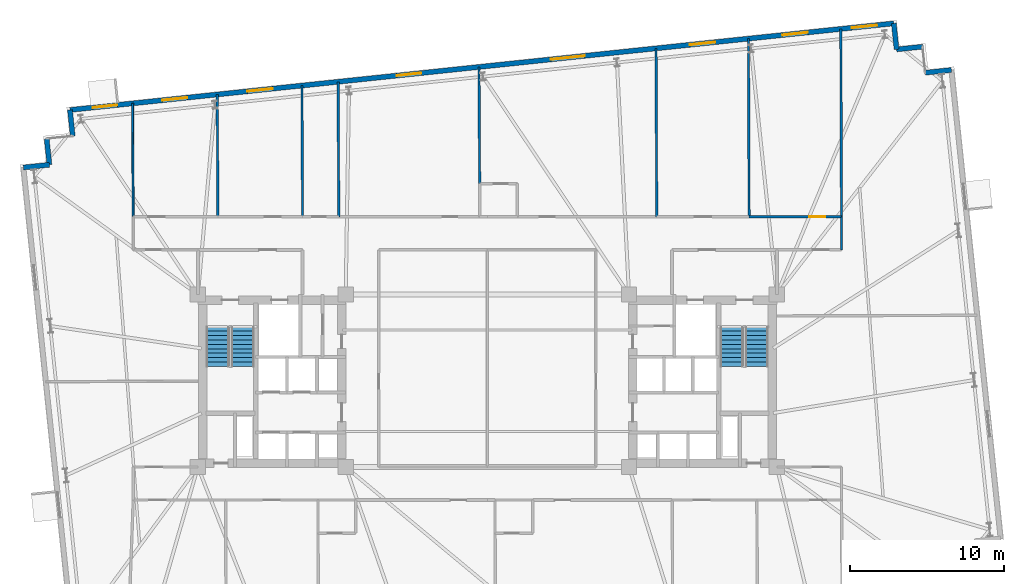
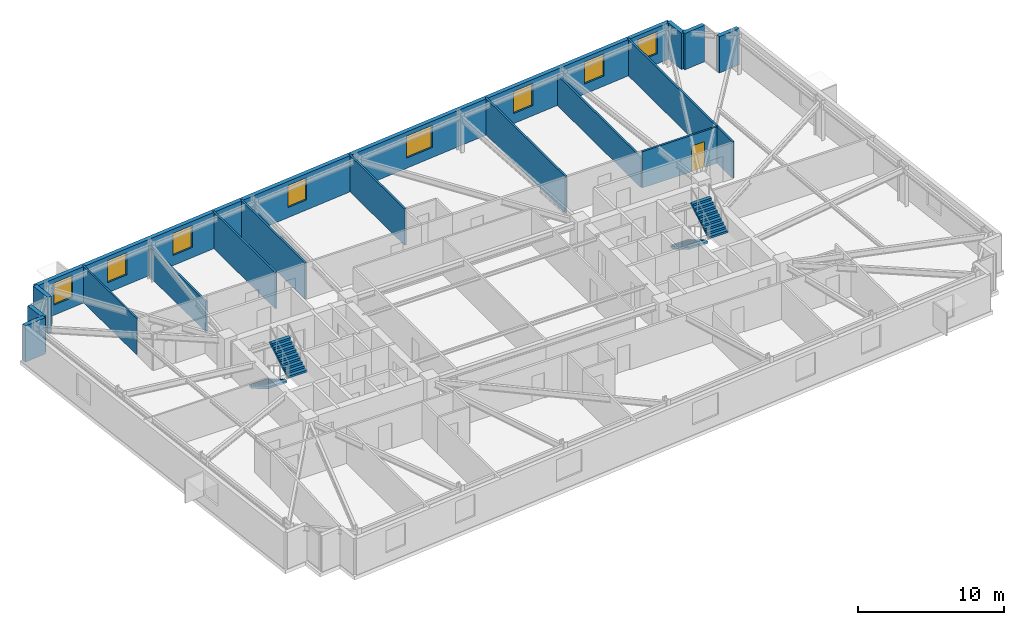
# One storey, part 15 of 17: 17 walls, 8 windows, 4 stair flights, 1 door, 9 openings, 2 elements without a shape of their own.
"""IFC4 building model written with IfcOpenShell, lengths in metres."""

from ifc_helpers import new_model, si_unit, direction, frame, frame_2d, origin, place, context, subcontext, project, spatial, polyline, rectangle, outline, extrude, material, layer, layer_set, type_object, element, fill, aggregate, save


model = new_model("IFC4")

# Units and contexts
model_context = context("Model", 3, precision=1e-05, world=origin(), true_north=direction((0.0, 1.0)))
body_context = subcontext(model_context, "Body", "Model", "MODEL_VIEW")
ifc_project = project(units=[si_unit("LENGTHUNIT", "METRE"), si_unit("AREAUNIT", "SQUARE_METRE"), si_unit("VOLUMEUNIT", "CUBIC_METRE"), si_unit("PLANEANGLEUNIT", "RADIAN"), si_unit("MASSUNIT", "GRAM", prefix="KILO")], contexts=[model_context])

# Site, building, storey
site_placement = place(None, origin())
site = spatial("IfcSite", under=ifc_project, at=site_placement, CompositionType="ELEMENT")
building_placement = place(site_placement, origin())
building = spatial("IfcBuilding", under=site, at=building_placement, Name="Qobustan Lattice House", CompositionType="ELEMENT")
storey_placement = place(building_placement, frame((0.0, 0.0, 112.5)))
storey = spatial("IfcBuildingStorey", under=building, at=storey_placement, Name="L31", CompositionType="ELEMENT", Elevation=112.5)

# Walls
ifc_material_1 = material(Name="Precast concrete C40/50", Category="concrete")
ifc_layer_1 = layer(ifc_material_1, 0.320068359375)
ifc_layer_set_1 = layer_set([ifc_layer_1], Name="Precast concrete C40/50")
wall_type_1 = type_object("IfcWallType", Name="WAL-EXT-STONE-320", PredefinedType="SOLIDWALL", material=ifc_layer_set_1)
for number, where, z_axis, x_axis, name in (
    (1, (-30.13330078125, 13.84912109375, 0.0), (0.0, 0.0, 1.0), (0.994534530939, 0.104408173862, 0.0), "L31 exterior limestone-clad wall 6"),
    (2, (-28.442626953125, 14.026611328125, 0.0), (0.0, 0.0, 1.0), (-0.104550220202, 0.994519608382, 0.0), "L31 exterior limestone-clad wall 7"),
    (3, (-26.9296875, 15.89501953125, 0.0), (0.0, 0.0, 1.0), (-0.104550220202, 0.994519608382, 0.0), "L31 exterior limestone-clad wall 9"),
):
    element("IfcWall", number, at=place(storey_placement, frame(where, z_axis=z_axis, x_axis=x_axis)), inside=storey, type_object=wall_type_1, Name=name, PredefinedType="SOLIDWALL", context=body_context, shape_type="SweptSolid", body=[
        extrude(rectangle(XDim=1.699951171875, YDim=0.320068359375, at=frame_2d((0.85009765625, 0.0))), origin(), (0.0, 0.0, 1.0), 3.044921875),
    ])

# Wall, openings, windows
wall_1_placement = place(storey_placement, frame((-27.107421875, 17.585693359375, 0.0), z_axis=(0.0, 0.0, 1.0), x_axis=(0.994521628355, 0.104531003701, 0.0)))
wall_1 = element("IfcWall", 4, at=wall_1_placement, inside=storey, type_object=wall_type_1, Name="L31 exterior limestone-clad wall 10", PredefinedType="SOLIDWALL", context=body_context, shape_type="SweptSolid", body=[
    extrude(rectangle(XDim=53.800048828125, YDim=0.320068359375, at=frame_2d((26.89990234375, 0.0))), origin(), (0.0, 0.0, 1.0), 3.044921875),
])
opening_1_placement = place(wall_1_placement, frame((1.481689453125, 0.0, 0.85009765625)))
opening_1 = element("IfcOpeningElement", 5, at=opening_1_placement, cuts=wall_1, Name="Opening WN-13", PredefinedType="OPENING", context=body_context, shape_type="SweptSolid", body=[
    extrude(rectangle(XDim=1.60009765625, YDim=1.85009765625, at=frame_2d((0.800048828125, 0.925048828125))), frame((0.0, 0.169921875, 0.0), z_axis=(0.0, -1.0, 0.0), x_axis=(1.0, 0.0, 0.0)), (0.0, 0.0, 1.0), 0.340087890625),
])
opening_2_placement = place(wall_1_placement, frame((6.02001953125, 0.0, 0.85009765625)))
opening_2 = element("IfcOpeningElement", 6, at=opening_2_placement, cuts=wall_1, Name="Opening WN-09", PredefinedType="OPENING", context=body_context, shape_type="SweptSolid", body=[
    extrude(rectangle(XDim=1.64990234375, YDim=1.85009765625, at=frame_2d((0.824951171875, 0.925048828125))), frame((0.0, 0.169921875, 0.0), z_axis=(0.0, -1.0, 0.0), x_axis=(1.0, 0.0, 0.0)), (0.0, 0.0, 1.0), 0.340087890625),
])
opening_3_placement = place(wall_1_placement, frame((11.584228515625, 0.0, 0.85009765625)))
opening_3 = element("IfcOpeningElement", 7, at=opening_3_placement, cuts=wall_1, Name="Opening WN-09", PredefinedType="OPENING", context=body_context, shape_type="SweptSolid", body=[
    extrude(rectangle(XDim=1.64990234375, YDim=1.85009765625, at=frame_2d((0.824951171875, 0.925048828125))), frame((0.0, 0.169921875, 0.0), z_axis=(0.0, -1.0, 0.0), x_axis=(1.0, 0.0, 0.0)), (0.0, 0.0, 1.0), 0.340087890625),
])
opening_4_placement = place(wall_1_placement, frame((21.33642578125, 0.0, 0.85009765625)))
opening_4 = element("IfcOpeningElement", 8, at=opening_4_placement, cuts=wall_1, Name="Opening WN-13", PredefinedType="OPENING", context=body_context, shape_type="SweptSolid", body=[
    extrude(rectangle(XDim=1.60009765625, YDim=1.85009765625, at=frame_2d((0.800048828125, 0.925048828125))), frame((0.0, 0.169921875, 0.0), z_axis=(0.0, -1.0, 0.0), x_axis=(1.0, 0.0, 0.0)), (0.0, 0.0, 1.0), 0.340087890625),
])
opening_5_placement = place(wall_1_placement, frame((31.404296875, 0.0, 0.85009765625)))
opening_5 = element("IfcOpeningElement", 9, at=opening_5_placement, cuts=wall_1, Name="Opening WN-03", PredefinedType="OPENING", context=body_context, shape_type="SweptSolid", body=[
    extrude(rectangle(XDim=2.199951171875, YDim=1.85009765625, at=frame_2d((1.10009765625, 0.925048828125))), frame((0.0, 0.169921875, 0.0), z_axis=(0.0, -1.0, 0.0), x_axis=(1.0, 0.0, 0.0)), (0.0, 0.0, 1.0), 0.340087890625),
])
opening_6_placement = place(wall_1_placement, frame((40.485595703125, 0.0, 0.85009765625)))
opening_6 = element("IfcOpeningElement", 10, at=opening_6_placement, cuts=wall_1, Name="Opening WN-09", PredefinedType="OPENING", context=body_context, shape_type="SweptSolid", body=[
    extrude(rectangle(XDim=1.64990234375, YDim=1.85009765625, at=frame_2d((0.824951171875, 0.925048828125))), frame((0.0, 0.169921875, 0.0), z_axis=(0.0, -1.0, 0.0), x_axis=(1.0, 0.0, 0.0)), (0.0, 0.0, 1.0), 0.340087890625),
])
opening_7_placement = place(wall_1_placement, frame((46.5302734375, 0.0, 0.85009765625)))
opening_7 = element("IfcOpeningElement", 11, at=opening_7_placement, cuts=wall_1, Name="Opening WN-09", PredefinedType="OPENING", context=body_context, shape_type="SweptSolid", body=[
    extrude(rectangle(XDim=1.64990234375, YDim=1.85009765625, at=frame_2d((0.824951171875, 0.925048828125))), frame((0.0, 0.169921875, 0.0), z_axis=(0.0, -1.0, 0.0), x_axis=(1.0, 0.0, 0.0)), (0.0, 0.0, 1.0), 0.340087890625),
])
opening_8_placement = place(wall_1_placement, frame((51.0537109375, 0.0, 0.85009765625)))
opening_8 = element("IfcOpeningElement", 12, at=opening_8_placement, cuts=wall_1, Name="Opening WN-09", PredefinedType="OPENING", context=body_context, shape_type="SweptSolid", body=[
    extrude(rectangle(XDim=1.64990234375, YDim=1.85009765625, at=frame_2d((0.824951171875, 0.925048828125))), frame((0.0, 0.169921875, 0.0), z_axis=(0.0, -1.0, 0.0), x_axis=(1.0, 0.0, 0.0)), (0.0, 0.0, 1.0), 0.340087890625),
])
ifc_material_2 = material(Name="Double-glazed low-E aluminium window", Category="aluminium")
window_type_1 = type_object("IfcWindowType", Name="WIN-BED-1600x1850", PartitioningType="SINGLE_PANEL", PredefinedType="WINDOW", material=ifc_material_2)
window_1_placement = place(opening_1_placement, origin())
window_1 = element("IfcWindow", 13, at=window_1_placement, inside=storey, type_object=window_type_1, Name="L31 Music and podcast studio window", OverallHeight=1.85009765625, OverallWidth=1.60009765625, PartitioningType="SINGLE_PANEL", PredefinedType="WINDOW", context=body_context, shape_type="SweptSolid", body=[
    extrude(rectangle(XDim=1.60009765625, YDim=1.85009765625, at=frame_2d((0.800048828125, 0.925048828125))), frame((0.0, 0.030029296875, 0.0), z_axis=(0.0, -1.0, 0.0), x_axis=(1.0, 0.0, 0.0)), (0.0, 0.0, 1.0), 0.06005859375),
])
fill(opening_1, window_1)
window_2_placement = place(opening_4_placement, origin())
window_2 = element("IfcWindow", 14, at=window_2_placement, inside=storey, type_object=window_type_1, Name="L31 Laundry utility room window", OverallHeight=1.85009765625, OverallWidth=1.60009765625, PartitioningType="SINGLE_PANEL", PredefinedType="WINDOW", context=body_context, shape_type="SweptSolid", body=[
    extrude(rectangle(XDim=1.60009765625, YDim=1.85009765625, at=frame_2d((0.800048828125, 0.925048828125))), frame((0.0, 0.030029296875, 0.0), z_axis=(0.0, -1.0, 0.0), x_axis=(1.0, 0.0, 0.0)), (0.0, 0.0, 1.0), 0.06005859375),
])
fill(opening_4, window_2)
ifc_material_3 = material(Name="Double-glazed low-E aluminium window", Category="aluminium")
window_type_2 = type_object("IfcWindowType", Name="WIN-STU-1650x1850", PartitioningType="SINGLE_PANEL", PredefinedType="WINDOW", material=ifc_material_3)
window_3_placement = place(opening_2_placement, origin())
window_3 = element("IfcWindow", 15, at=window_3_placement, inside=storey, type_object=window_type_2, Name="L31 Focus study room N1A window", OverallHeight=1.85009765625, OverallWidth=1.64990234375, PartitioningType="SINGLE_PANEL", PredefinedType="WINDOW", context=body_context, shape_type="SweptSolid", body=[
    extrude(rectangle(XDim=1.64990234375, YDim=1.85009765625, at=frame_2d((0.824951171875, 0.925048828125))), frame((0.0, 0.030029296875, 0.0), z_axis=(0.0, -1.0, 0.0), x_axis=(1.0, 0.0, 0.0)), (0.0, 0.0, 1.0), 0.06005859375),
])
fill(opening_2, window_3)
window_4_placement = place(opening_3_placement, origin())
window_4 = element("IfcWindow", 16, at=window_4_placement, inside=storey, type_object=window_type_2, Name="L31 Focus study room N1B window", OverallHeight=1.85009765625, OverallWidth=1.64990234375, PartitioningType="SINGLE_PANEL", PredefinedType="WINDOW", context=body_context, shape_type="SweptSolid", body=[
    extrude(rectangle(XDim=1.64990234375, YDim=1.85009765625, at=frame_2d((0.824951171875, 0.925048828125))), frame((0.0, 0.030029296875, 0.0), z_axis=(0.0, -1.0, 0.0), x_axis=(1.0, 0.0, 0.0)), (0.0, 0.0, 1.0), 0.06005859375),
])
fill(opening_3, window_4)
window_5_placement = place(opening_6_placement, origin())
window_5 = element("IfcWindow", 17, at=window_5_placement, inside=storey, type_object=window_type_2, Name="L31 Focus study room N4A window", OverallHeight=1.85009765625, OverallWidth=1.64990234375, PartitioningType="SINGLE_PANEL", PredefinedType="WINDOW", context=body_context, shape_type="SweptSolid", body=[
    extrude(rectangle(XDim=1.64990234375, YDim=1.85009765625, at=frame_2d((0.824951171875, 0.925048828125))), frame((0.0, 0.030029296875, 0.0), z_axis=(0.0, -1.0, 0.0), x_axis=(1.0, 0.0, 0.0)), (0.0, 0.0, 1.0), 0.06005859375),
])
fill(opening_6, window_5)
window_6_placement = place(opening_7_placement, origin())
window_6 = element("IfcWindow", 18, at=window_6_placement, inside=storey, type_object=window_type_2, Name="L31 Focus study room N4B window", OverallHeight=1.85009765625, OverallWidth=1.64990234375, PartitioningType="SINGLE_PANEL", PredefinedType="WINDOW", context=body_context, shape_type="SweptSolid", body=[
    extrude(rectangle(XDim=1.64990234375, YDim=1.85009765625, at=frame_2d((0.824951171875, 0.925048828125))), frame((0.0, 0.030029296875, 0.0), z_axis=(0.0, -1.0, 0.0), x_axis=(1.0, 0.0, 0.0)), (0.0, 0.0, 1.0), 0.06005859375),
])
fill(opening_7, window_6)
window_7_placement = place(opening_8_placement, origin())
window_7 = element("IfcWindow", 19, at=window_7_placement, inside=storey, type_object=window_type_2, Name="L31 Collaborative tutorial room window", OverallHeight=1.85009765625, OverallWidth=1.64990234375, PartitioningType="SINGLE_PANEL", PredefinedType="WINDOW", context=body_context, shape_type="SweptSolid", body=[
    extrude(rectangle(XDim=1.64990234375, YDim=1.85009765625, at=frame_2d((0.824951171875, 0.925048828125))), frame((0.0, 0.030029296875, 0.0), z_axis=(0.0, -1.0, 0.0), x_axis=(1.0, 0.0, 0.0)), (0.0, 0.0, 1.0), 0.06005859375),
])
fill(opening_8, window_7)
ifc_material_4 = material(Name="Double-glazed low-E aluminium window", Category="aluminium")
window_type_3 = type_object("IfcWindowType", Name="WIN-WIDE-2200x1850", PartitioningType="SINGLE_PANEL", PredefinedType="WINDOW", material=ifc_material_4)
window_8_placement = place(opening_5_placement, origin())
window_8 = element("IfcWindow", 20, at=window_8_placement, inside=storey, type_object=window_type_3, Name="L31 Kitchenette and studio apartment L31-N3 window", OverallHeight=1.85009765625, OverallWidth=2.199951171875, PartitioningType="SINGLE_PANEL", PredefinedType="WINDOW", context=body_context, shape_type="SweptSolid", body=[
    extrude(rectangle(XDim=2.199951171875, YDim=1.85009765625, at=frame_2d((1.10009765625, 0.925048828125))), frame((0.0, 0.030029296875, 0.0), z_axis=(0.0, -1.0, 0.0), x_axis=(1.0, 0.0, 0.0)), (0.0, 0.0, 1.0), 0.06005859375),
])
fill(opening_5, window_8)

# Walls
for number, where, z_axis, x_axis, name in (
    (21, (26.39794921875, 23.20947265625, 0.0), (0.0, 0.0, 1.0), (0.104550220202, -0.994519608382, 0.0), "L31 exterior limestone-clad wall 11"),
    (22, (26.57568359375, 21.518798828125, 0.0), (0.0, 0.0, 1.0), (0.994534530939, 0.104408173862, 0.0), "L31 exterior limestone-clad wall 12"),
    (23, (28.444091796875, 20.005615234375, 0.0), (0.0, 0.0, 1.0), (0.994519608382, 0.104550220202, 0.0), "L31 exterior limestone-clad wall 14"),
):
    element("IfcWall", number, at=place(storey_placement, frame(where, z_axis=z_axis, x_axis=x_axis)), inside=storey, type_object=wall_type_1, Name=name, PredefinedType="SOLIDWALL", context=body_context, shape_type="SweptSolid", body=[
        extrude(rectangle(XDim=1.699951171875, YDim=0.320068359375, at=frame_2d((0.85009765625, 0.0))), origin(), (0.0, 0.0, 1.0), 3.044921875),
    ])
ifc_material_5 = material(Name="Lightweight acoustic stud partition", Category="gypsum")
ifc_layer_2 = layer(ifc_material_5, 0.125)
ifc_layer_set_2 = layer_set([ifc_layer_2], Name="Lightweight acoustic stud partition")
wall_type_2 = type_object("IfcWallType", Name="WAL-PART-125", PredefinedType="PARTITIONING", material=ifc_layer_set_2)
wall_2_placement = place(storey_placement, frame((-23.0439453125, 18.0126953125, 0.0), z_axis=(0.0, 0.0, 1.0), x_axis=(0.005968459246, -0.999982188588, 0.0)))
element("IfcWall", 24, at=wall_2_placement, inside=storey, type_object=wall_type_2, Name="L31 interior partition 72", PredefinedType="PARTITIONING", context=body_context, shape_type="SweptSolid", body=[
    extrude(rectangle(XDim=7.363037109375, YDim=0.125, at=frame_2d((3.681640625, 0.0))), origin(), (0.0, 0.0, 1.0), 3.044921875),
])
ifc_material_6 = material(Name="Acoustic twin-stud gypsum partition", Category="gypsum")
ifc_layer_3 = layer(ifc_material_6, 0.14990234375)
ifc_layer_set_3 = layer_set([ifc_layer_3], Name="Acoustic twin-stud gypsum partition")
wall_type_3 = type_object("IfcWallType", Name="WAL-PART-150", PredefinedType="PARTITIONING", material=ifc_layer_set_3)
wall_3_placement = place(storey_placement, frame((23.0, 10.64990234375, 0.0), z_axis=(0.0, 0.0, 1.0), x_axis=(0.0, -1.0, 0.0)))
element("IfcWall", 25, at=wall_3_placement, inside=storey, type_object=wall_type_3, Name="L31 interior partition 47", PredefinedType="PARTITIONING", context=body_context, shape_type="SweptSolid", body=[
    extrude(rectangle(XDim=2.14990234375, YDim=0.14990234375, at=frame_2d((1.074951171875, 0.0))), origin(), (0.0, 0.0, 1.0), 3.044921875),
])

# Wall, opening, door
wall_4_placement = place(storey_placement, frame((17.0, 10.64990234375, 0.0), z_axis=(0.0, 0.0, 1.0), x_axis=(1.0, 0.0, 0.0)))
wall_4 = element("IfcWall", 26, at=wall_4_placement, inside=storey, type_object=wall_type_3, Name="L31 interior partition 51", PredefinedType="PARTITIONING", context=body_context, shape_type="SweptSolid", body=[
    extrude(rectangle(XDim=6.0, YDim=0.14990234375, at=frame_2d((3.0, 0.0))), origin(), (0.0, 0.0, 1.0), 3.044921875),
])
opening_9_placement = place(wall_4_placement, frame((3.896240234375, 0.0, 0.0)))
opening_9 = element("IfcOpeningElement", 27, at=opening_9_placement, cuts=wall_4, Name="Opening ID-02", PredefinedType="OPENING", context=body_context, shape_type="SweptSolid", body=[
    extrude(rectangle(XDim=1.050048828125, YDim=2.14990234375, at=frame_2d((0.52490234375, 1.074951171875))), frame((0.0, 0.0849609375, 0.0), z_axis=(0.0, -1.0, 0.0), x_axis=(1.0, 0.0, 0.0)), (0.0, 0.0, 1.0), 0.169921875),
])
ifc_material_7 = material(Name="Persian walnut timber and steel frame door", Category="steel")
door_type = type_object("IfcDoorType", Name="DOR-STUDY-1050x2150", OperationType="NOTDEFINED", PredefinedType="DOOR", material=ifc_material_7)
door_placement = place(opening_9_placement, origin())
door = element("IfcDoor", 28, at=door_placement, inside=storey, type_object=door_type, Name="L31 North-east floor corridor to Focus study room N4B door", OperationType="SINGLE_SWING_RIGHT", OverallHeight=2.14990234375, OverallWidth=1.050048828125, PredefinedType="DOOR", context=body_context, shape_type="SweptSolid", body=[
    extrude(rectangle(XDim=1.050048828125, YDim=2.14990234375, at=frame_2d((0.52490234375, 1.074951171875))), frame((0.0, 0.02490234375, 0.0), z_axis=(0.0, -1.0, 0.0), x_axis=(1.0, 0.0, 0.0)), (0.0, 0.0, 1.0), 0.050048828125),
])
fill(opening_9, door)

# Walls
wall_5_placement = place(storey_placement, frame((23.0, 10.64990234375, 0.0), z_axis=(0.0, 0.0, 1.0), x_axis=(-0.0036027147, 0.999993510202, 0.0)))
element("IfcWall", 29, at=wall_5_placement, inside=storey, type_object=wall_type_3, Name="L31 interior partition 75", PredefinedType="PARTITIONING", context=body_context, shape_type="SweptSolid", body=[
    extrude(rectangle(XDim=12.19775390625, YDim=0.14990234375, at=frame_2d((6.098876953125, 0.0))), origin(), (0.0, 0.0, 1.0), 3.044921875),
])
wall_6_placement = place(storey_placement, frame((-17.5439453125, 18.5908203125, 0.0), z_axis=(0.0, 0.0, 1.0), x_axis=(0.005533949572, -0.999984687584, 0.0)))
element("IfcWall", 30, at=wall_6_placement, inside=storey, type_object=wall_type_3, Name="L31 interior partition 76", PredefinedType="PARTITIONING", context=body_context, shape_type="SweptSolid", body=[
    extrude(rectangle(XDim=7.94091796875, YDim=0.14990234375, at=frame_2d((3.970458984375, 0.0))), origin(), (0.0, 0.0, 1.0), 2.530029296875),
])
wall_7_placement = place(storey_placement, frame((-0.5439453125, 20.377685546875, 0.0), z_axis=(0.0, 0.0, 1.0), x_axis=(0.005799245221, -0.999983184236, 0.0)))
element("IfcWall", 31, at=wall_7_placement, inside=storey, type_object=wall_type_3, Name="L31 interior partition 79", PredefinedType="PARTITIONING", context=body_context, shape_type="SweptSolid", body=[
    extrude(rectangle(XDim=7.577880859375, YDim=0.14990234375, at=frame_2d((3.7890625, 0.0))), origin(), (0.0, 0.0, 1.0), 3.044921875),
])
wall_8_placement = place(storey_placement, frame((10.9560546875, 21.58642578125, 0.0), z_axis=(0.0, 0.0, 1.0), x_axis=(0.004018183473, -0.999991927068, 0.0)))
element("IfcWall", 32, at=wall_8_placement, inside=storey, type_object=wall_type_3, Name="L31 interior partition 83", PredefinedType="PARTITIONING", context=body_context, shape_type="SweptSolid", body=[
    extrude(rectangle(XDim=10.9365234375, YDim=0.14990234375, at=frame_2d((5.46826171875, 0.0))), origin(), (0.0, 0.0, 1.0), 3.044921875),
])
wall_9_placement = place(storey_placement, frame((16.9560546875, 22.217041015625, 0.0), z_axis=(0.0, 0.0, 1.0), x_axis=(0.003799124105, -0.999992783302, 0.0)))
element("IfcWall", 33, at=wall_9_placement, inside=storey, type_object=wall_type_3, Name="L31 interior partition 84", PredefinedType="PARTITIONING", context=body_context, shape_type="SweptSolid", body=[
    extrude(rectangle(XDim=11.567138671875, YDim=0.14990234375, at=frame_2d((5.78369140625, 0.0))), origin(), (0.0, 0.0, 1.0), 2.530029296875),
])
ifc_material_8 = material(Name="Moisture-resistant acoustic plumbing wall", Category="gypsum")
ifc_layer_4 = layer(ifc_material_8, 0.14990234375)
ifc_layer_set_4 = layer_set([ifc_layer_4], Name="Moisture-resistant acoustic plumbing wall")
wall_type_4 = type_object("IfcWallType", Name="WAL-WET-150", PredefinedType="PLUMBINGWALL", material=ifc_layer_set_4)
wall_10_placement = place(storey_placement, frame((-12.0439453125, 19.1689453125, 0.0), z_axis=(0.0, 0.0, 1.0), x_axis=(0.005158411336, -0.999986695308, 0.0)))
element("IfcWall", 34, at=wall_10_placement, inside=storey, type_object=wall_type_4, Name="L31 interior partition 77", PredefinedType="PLUMBINGWALL", context=body_context, shape_type="SweptSolid", body=[
    extrude(rectangle(XDim=8.51904296875, YDim=0.14990234375, at=frame_2d((4.259521484375, 0.0))), origin(), (0.0, 0.0, 1.0), 3.044921875),
])
wall_11_placement = place(storey_placement, frame((-9.69384765625, 19.416015625, 0.0), z_axis=(0.0, 0.0, 1.0), x_axis=(0.005013026743, -0.999987434702, 0.0)))
element("IfcWall", 35, at=wall_11_placement, inside=storey, type_object=wall_type_4, Name="L31 interior partition 78", PredefinedType="PLUMBINGWALL", context=body_context, shape_type="SweptSolid", body=[
    extrude(rectangle(XDim=8.76611328125, YDim=0.14990234375, at=frame_2d((4.383056640625, 0.0))), origin(), (0.0, 0.0, 1.0), 3.044921875),
])

# Stair, stair flights
ifc_material_9 = material(Name="Concrete C40/50", Category="concrete")
stair_type = type_object("IfcStairType", Name="STR-CORE-DOGLEG", PredefinedType="HALF_TURN_STAIR", material=ifc_material_9)
stair_1_placement = place(storey_placement, origin())
stair_1 = element("IfcStair", 36, at=stair_1_placement, inside=storey, type_object=stair_type, Name="L31 West protected exit stair ST-W1", PredefinedType="HALF_TURN_STAIR")
ifc_material_10 = material(Name="Concrete C40/50", Category="concrete")
stair_flight_type = type_object("IfcStairFlightType", Name="SFL-RC-1500", PredefinedType="STRAIGHT", material=ifc_material_10)
stair_flight_1_placement = place(storey_placement, frame((-17.5, 3.5, 0.0), z_axis=(0.0, 0.0, 1.0), x_axis=(0.0, -1.0, 0.0)))
stair_flight_1 = element("IfcStairFlight", 37, at=stair_flight_1_placement, type_object=stair_flight_type, Name="ST-W1 flight 1", NumberOfRisers=10, NumberOfTreads=9, PredefinedType="STRAIGHT", RiserHeight=0.1675, TreadLength=0.285, context=body_context, shape_type="SweptSolid", body=[
    extrude(outline(polyline([(0.0, 0.0), (0.0, 0.16748046875), (0.284912109375, 0.16748046875), (0.284912109375, 0.3349609375), (0.570068359375, 0.3349609375), (0.570068359375, 0.50244140625), (0.85498046875, 0.50244140625), (0.85498046875, 0.669921875), (1.139892578125, 0.669921875), (1.139892578125, 0.83740234375), (1.425048828125, 0.83740234375), (1.425048828125, 1.0048828125), (1.7099609375, 1.0048828125), (1.7099609375, 1.172607421875), (1.9951171875, 1.172607421875), (1.9951171875, 1.340087890625), (2.280029296875, 1.340087890625), (2.280029296875, 1.507568359375), (2.56494140625, 1.507568359375), (2.56494140625, 1.675048828125), (2.56494140625, 1.333740234375), (0.2958984375, 0.0), (0.0, 0.0)])), frame((0.0, 0.75, 0.0), z_axis=(0.0, -1.0, 0.0), x_axis=(1.0, 0.0, 0.0)), (0.0, 0.0, 1.0), 1.5),
])
stair_flight_2_placement = place(storey_placement, frame((-15.8798828125, 0.93505859375, 1.675048828125), z_axis=(0.0, 0.0, 1.0), x_axis=(0.0, 1.0, 0.0)))
stair_flight_2 = element("IfcStairFlight", 38, at=stair_flight_2_placement, type_object=stair_flight_type, Name="ST-W1 flight 2", NumberOfRisers=10, NumberOfTreads=9, PredefinedType="STRAIGHT", RiserHeight=0.1675, TreadLength=0.285, context=body_context, shape_type="SweptSolid", body=[
    extrude(outline(polyline([(0.0, 0.0), (0.0, 0.16748046875), (0.284912109375, 0.16748046875), (0.284912109375, 0.3349609375), (0.570068359375, 0.3349609375), (0.570068359375, 0.50244140625), (0.85498046875, 0.50244140625), (0.85498046875, 0.669921875), (1.139892578125, 0.669921875), (1.139892578125, 0.83740234375), (1.425048828125, 0.83740234375), (1.425048828125, 1.0048828125), (1.7099609375, 1.0048828125), (1.7099609375, 1.172607421875), (1.9951171875, 1.172607421875), (1.9951171875, 1.340087890625), (2.280029296875, 1.340087890625), (2.280029296875, 1.507568359375), (2.56494140625, 1.507568359375), (2.56494140625, 1.675048828125), (2.56494140625, 1.333740234375), (0.2958984375, 0.0), (0.0, 0.0)])), frame((0.0, 0.75, 0.0), z_axis=(0.0, -1.0, 0.0), x_axis=(1.0, 0.0, 0.0)), (0.0, 0.0, 1.0), 1.5),
])
aggregate(stair_1, [stair_flight_1, stair_flight_2])

stair_2_placement = place(storey_placement, origin())
stair_2 = element("IfcStair", 39, at=stair_2_placement, inside=storey, type_object=stair_type, Name="L31 East protected exit stair ST-E1", PredefinedType="HALF_TURN_STAIR")
stair_flight_3_placement = place(storey_placement, frame((15.8798828125, 3.5, 0.0), z_axis=(0.0, 0.0, 1.0), x_axis=(0.0, -1.0, 0.0)))
stair_flight_3 = element("IfcStairFlight", 40, at=stair_flight_3_placement, type_object=stair_flight_type, Name="ST-E1 flight 1", NumberOfRisers=10, NumberOfTreads=9, PredefinedType="STRAIGHT", RiserHeight=0.1675, TreadLength=0.285, context=body_context, shape_type="SweptSolid", body=[
    extrude(outline(polyline([(0.0, 0.0), (0.0, 0.16748046875), (0.284912109375, 0.16748046875), (0.284912109375, 0.3349609375), (0.570068359375, 0.3349609375), (0.570068359375, 0.50244140625), (0.85498046875, 0.50244140625), (0.85498046875, 0.669921875), (1.139892578125, 0.669921875), (1.139892578125, 0.83740234375), (1.425048828125, 0.83740234375), (1.425048828125, 1.0048828125), (1.7099609375, 1.0048828125), (1.7099609375, 1.172607421875), (1.9951171875, 1.172607421875), (1.9951171875, 1.340087890625), (2.280029296875, 1.340087890625), (2.280029296875, 1.507568359375), (2.56494140625, 1.507568359375), (2.56494140625, 1.675048828125), (2.56494140625, 1.333740234375), (0.2958984375, 0.0), (0.0, 0.0)])), frame((0.0, 0.75, 0.0), z_axis=(0.0, -1.0, 0.0), x_axis=(1.0, 0.0, 0.0)), (0.0, 0.0, 1.0), 1.5),
])
stair_flight_4_placement = place(storey_placement, frame((17.5, 0.93505859375, 1.675048828125), z_axis=(0.0, 0.0, 1.0), x_axis=(0.0, 1.0, 0.0)))
stair_flight_4 = element("IfcStairFlight", 41, at=stair_flight_4_placement, type_object=stair_flight_type, Name="ST-E1 flight 2", NumberOfRisers=10, NumberOfTreads=9, PredefinedType="STRAIGHT", RiserHeight=0.1675, TreadLength=0.285, context=body_context, shape_type="SweptSolid", body=[
    extrude(outline(polyline([(0.0, 0.0), (0.0, 0.16748046875), (0.284912109375, 0.16748046875), (0.284912109375, 0.3349609375), (0.570068359375, 0.3349609375), (0.570068359375, 0.50244140625), (0.85498046875, 0.50244140625), (0.85498046875, 0.669921875), (1.139892578125, 0.669921875), (1.139892578125, 0.83740234375), (1.425048828125, 0.83740234375), (1.425048828125, 1.0048828125), (1.7099609375, 1.0048828125), (1.7099609375, 1.172607421875), (1.9951171875, 1.172607421875), (1.9951171875, 1.340087890625), (2.280029296875, 1.340087890625), (2.280029296875, 1.507568359375), (2.56494140625, 1.507568359375), (2.56494140625, 1.675048828125), (2.56494140625, 1.333740234375), (0.2958984375, 0.0), (0.0, 0.0)])), frame((0.0, 0.75, 0.0), z_axis=(0.0, -1.0, 0.0), x_axis=(1.0, 0.0, 0.0)), (0.0, 0.0, 1.0), 1.5),
])
aggregate(stair_2, [stair_flight_3, stair_flight_4])

save(model, "model.ifc")
